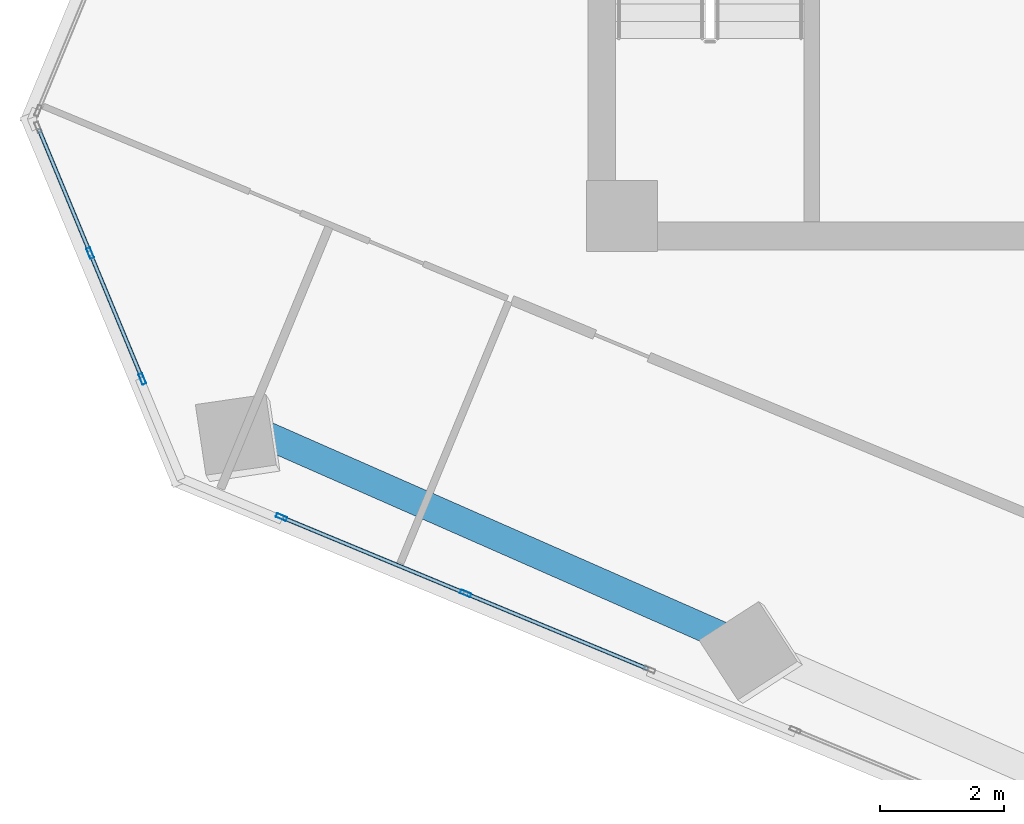
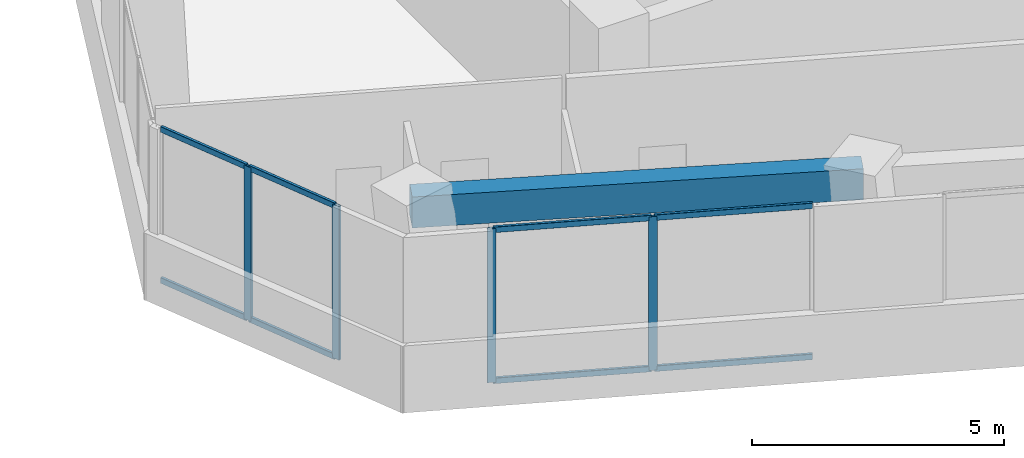
# One storey, part 3 of 23: 12 members, 1 beam, 2 elements without a shape of their own.
"""IFC4 building model written with IfcOpenShell, lengths in metres."""

from ifc_helpers import new_model, si_unit, direction, frame, origin, origin_2d, place, context, subcontext, project, spatial, rectangle, hollow_rectangle, extrude, source, transform, mapped, material, material_profile, profile_set, type_object, element, aggregate, save


model = new_model("IFC4")

# Units and contexts
model_context = context("Model", 3, precision=1e-05, world=origin(), true_north=direction((0.0, 1.0)))
body_context = subcontext(model_context, "Body", "Model", "MODEL_VIEW")
ifc_project = project(units=[si_unit("LENGTHUNIT", "METRE"), si_unit("AREAUNIT", "SQUARE_METRE"), si_unit("VOLUMEUNIT", "CUBIC_METRE"), si_unit("PLANEANGLEUNIT", "RADIAN"), si_unit("MASSUNIT", "GRAM", prefix="KILO")], contexts=[model_context])

# Site, building, storey
site_placement = place(None, origin())
site = spatial("IfcSite", under=ifc_project, at=site_placement, CompositionType="ELEMENT")
building_placement = place(site_placement, origin())
building = spatial("IfcBuilding", under=site, at=building_placement, Name="Torre Montelarca", CompositionType="ELEMENT")
storey_placement = place(building_placement, frame((0.0, 0.0, 145.60009765625)))
storey = spatial("IfcBuildingStorey", under=building, at=storey_placement, Name="L32", CompositionType="ELEMENT", Elevation=145.60009765625)

# Beam
ifc_material_1 = material(Name="Concrete C55/67", Category="concrete")
ifc_material_profile_1 = material_profile(ifc_material_1, rectangle(XDim=0.449951171875, YDim=0.75, at=origin_2d()), Name="RCB450X750", Category="concrete")
ifc_profile_set_1 = profile_set([ifc_material_profile_1], Name="Concrete C55/67")
beam_type = type_object("IfcBeamType", Name="BM-SP-RC750-EXT", PredefinedType="SPANDREL", material=ifc_profile_set_1)
shared_shape_1 = source(origin(), body_context, "Body", "SweptSolid", [
    extrude(rectangle(XDim=0.449951171875, YDim=0.75, at=origin_2d()), origin(), (0.0, 0.0, 1.0), 9.0),
])
beam_placement = place(storey_placement, frame((3.13134765625, 21.291015625, 3.5849609375), z_axis=(0.915309832452, -0.402750432174, 0.0), x_axis=(0.402750432174, 0.915309832452, 0.0)))
element("IfcBeam", 1, at=beam_placement, inside=storey, type_object=beam_type, Name="L32 Grid Girder X 9.0-18.0 at Y=14.8", PredefinedType="SPANDREL", context=body_context, shape_type="MappedRepresentation", body=[
    mapped(shared_shape_1, transform((0.0, 0.0, 0.0), scale=1.0)),
])

# Curtain wall, members
ifc_material_2 = material(Name="Insulated low-E laminated glass", Category="glass")
curtain_wall_type = type_object("IfcCurtainWallType", Name="CW-SYS-Z2", PredefinedType="USERDEFINED", material=ifc_material_2)
curtain_wall_1_placement = place(storey_placement, origin())
curtain_wall_1 = element("IfcCurtainWall", 2, at=curtain_wall_1_placement, inside=storey, type_object=curtain_wall_type, Name="L32 Curtain Wall Run CW-T3-L32-E01-B1", ObjectType="UNITISED GLAZING", PredefinedType="USERDEFINED")
ifc_material_3 = material(Name="Anodised aluminium AA 6063-T6", Category="aluminium")
ifc_material_profile_2 = material_profile(ifc_material_3, hollow_rectangle(XDim=0.06494140625, YDim=0.179931640625, WallThickness=0.00390625, InnerFilletRadius=0.00390625, OuterFilletRadius=0.008056640625, at=origin_2d()), Name="ALU65X180X4", Category="aluminium")
ifc_profile_set_2 = profile_set([ifc_material_profile_2], Name="Anodised aluminium AA 6063-T6")
member_type_1 = type_object("IfcMemberType", Name="CWM-ALU180", PredefinedType="MULLION", material=ifc_profile_set_2)
shared_shape_2 = source(origin(), body_context, "Body", "SweptSolid", [
    extrude(hollow_rectangle(XDim=0.06494140625, YDim=0.179931640625, WallThickness=0.00390625, InnerFilletRadius=0.00390625, OuterFilletRadius=0.008056640625, at=origin_2d()), origin(), (0.0, 0.0, 1.0), 3.719970703125),
])
member_1_placement = place(storey_placement, frame((4.041259765625, 19.6728515625, 0.0), z_axis=(0.0, 0.0, 1.0), x_axis=(0.38268343759, 0.923879530347, 0.0)))
member_1 = element("IfcMember", 3, at=member_1_placement, type_object=member_type_1, Name="CW mullion 1", PredefinedType="MULLION", context=body_context, shape_type="MappedRepresentation", body=[
    mapped(shared_shape_2, transform((0.0, 0.0, 0.0), scale=1.0)),
])
member_2_placement = place(storey_placement, frame((7.02099609375, 18.438720703125, 0.0), z_axis=(0.0, 0.0, 1.0), x_axis=(0.38268343759, 0.923879530347, 0.0)))
member_2 = element("IfcMember", 4, at=member_2_placement, type_object=member_type_1, Name="CW mullion 2", PredefinedType="MULLION", context=body_context, shape_type="MappedRepresentation", body=[
    mapped(shared_shape_2, transform((0.0, 0.0, 0.0), scale=1.0)),
])

curtain_wall_2_placement = place(storey_placement, origin())
curtain_wall_2 = element("IfcCurtainWall", 5, at=curtain_wall_2_placement, inside=storey, type_object=curtain_wall_type, Name="L32 Curtain Wall Run CW-T3-L32-E11-B1", ObjectType="UNITISED GLAZING", PredefinedType="USERDEFINED")
member_3_placement = place(storey_placement, frame((0.94384765625, 23.947021484375, 0.0), z_axis=(0.0, 0.0, 1.0), x_axis=(0.923884651874, 0.382671072895, 0.0)))
member_3 = element("IfcMember", 6, at=member_3_placement, type_object=member_type_1, Name="CW mullion 2", PredefinedType="MULLION", context=body_context, shape_type="MappedRepresentation", body=[
    mapped(shared_shape_2, transform((0.0, 0.0, 0.0), scale=1.0)),
])
member_4_placement = place(storey_placement, frame((1.787109375, 21.9111328125, 0.0), z_axis=(0.0, 0.0, 1.0), x_axis=(0.923884651874, 0.382671072895, 0.0)))
member_4 = element("IfcMember", 7, at=member_4_placement, type_object=member_type_1, Name="CW mullion 3", PredefinedType="MULLION", context=body_context, shape_type="MappedRepresentation", body=[
    mapped(shared_shape_2, transform((0.0, 0.0, 0.0), scale=1.0)),
])

# Member
ifc_material_profile_3 = material_profile(ifc_material_3, hollow_rectangle(XDim=0.06494140625, YDim=0.139892578125, WallThickness=0.00390625, InnerFilletRadius=0.00390625, OuterFilletRadius=0.008056640625, at=origin_2d()), Name="ALU65X140X4", Category="aluminium")
ifc_profile_set_3 = profile_set([ifc_material_profile_3], Name="Anodised aluminium AA 6063-T6")
member_type_2 = type_object("IfcMemberType", Name="CWT-ALU140", PredefinedType="USERDEFINED", material=ifc_profile_set_3)
shared_shape_3 = source(origin(), body_context, "Body", "SweptSolid", [
    extrude(hollow_rectangle(XDim=0.06494140625, YDim=0.139892578125, WallThickness=0.00390625, InnerFilletRadius=0.00390625, OuterFilletRadius=0.008056640625, at=origin_2d()), origin(), (0.0, 0.0, 1.0), 3.16015625),
])
member_5_placement = place(storey_placement, frame((4.0712890625, 19.660400390625, 0.032470703125), z_axis=(0.923868060411, -0.382711127291, 0.0), x_axis=(0.382711127291, 0.923868060411, 0.0)))
member_5 = element("IfcMember", 8, at=member_5_placement, type_object=member_type_2, Name="CW transom 1.1", ObjectType="TRANSOM", PredefinedType="USERDEFINED", context=body_context, shape_type="MappedRepresentation", body=[
    mapped(shared_shape_3, transform((0.0, 0.0, 0.0), scale=1.0)),
])

member_6_placement = place(storey_placement, frame((4.0712890625, 19.660400390625, 3.6875), z_axis=(0.923868060411, -0.382711127291, 0.0), x_axis=(0.382711127291, 0.923868060411, 0.0)))
member_6 = element("IfcMember", 9, at=member_6_placement, type_object=member_type_2, Name="CW transom 1.2", ObjectType="TRANSOM", PredefinedType="USERDEFINED", context=body_context, shape_type="MappedRepresentation", body=[
    mapped(shared_shape_3, transform((0.0, 0.0, 0.0), scale=1.0)),
])

member_7_placement = place(storey_placement, frame((7.051025390625, 18.42626953125, 0.032470703125), z_axis=(0.923868060411, -0.382711127291, 0.0), x_axis=(0.382711127291, 0.923868060411, 0.0)))
member_7 = element("IfcMember", 10, at=member_7_placement, type_object=member_type_2, Name="CW transom 2.1", ObjectType="TRANSOM", PredefinedType="USERDEFINED", context=body_context, shape_type="MappedRepresentation", body=[
    mapped(shared_shape_3, transform((0.0, 0.0, 0.0), scale=1.0)),
])

member_8_placement = place(storey_placement, frame((7.051025390625, 18.42626953125, 3.6875), z_axis=(0.923868060411, -0.382711127291, 0.0), x_axis=(0.382711127291, 0.923868060411, 0.0)))
member_8 = element("IfcMember", 11, at=member_8_placement, type_object=member_type_2, Name="CW transom 2.2", ObjectType="TRANSOM", PredefinedType="USERDEFINED", context=body_context, shape_type="MappedRepresentation", body=[
    mapped(shared_shape_3, transform((0.0, 0.0, 0.0), scale=1.0)),
])

aggregate(curtain_wall_1, [member_1, member_2, member_5, member_6, member_7, member_8])

shared_shape_4 = source(origin(), body_context, "Body", "SweptSolid", [
    extrude(hollow_rectangle(XDim=0.06494140625, YDim=0.139892578125, WallThickness=0.00390625, InnerFilletRadius=0.00390625, OuterFilletRadius=0.008056640625, at=origin_2d()), origin(), (0.0, 0.0, 1.0), 2.138427734375),
])
member_9_placement = place(storey_placement, frame((0.113037109375, 25.95263671875, 0.032470703125), z_axis=(0.382701348994, -0.923872110997, 0.0), x_axis=(0.923872110997, 0.382701348994, 0.0)))
member_9 = element("IfcMember", 12, at=member_9_placement, type_object=member_type_2, Name="CW transom 1.1", ObjectType="TRANSOM", PredefinedType="USERDEFINED", context=body_context, shape_type="MappedRepresentation", body=[
    mapped(shared_shape_4, transform((0.0, 0.0, 0.0), scale=1.0)),
])

member_10_placement = place(storey_placement, frame((0.113037109375, 25.95263671875, 3.6875), z_axis=(0.382701348994, -0.923872110997, 0.0), x_axis=(0.923872110997, 0.382701348994, 0.0)))
member_10 = element("IfcMember", 13, at=member_10_placement, type_object=member_type_2, Name="CW transom 1.2", ObjectType="TRANSOM", PredefinedType="USERDEFINED", context=body_context, shape_type="MappedRepresentation", body=[
    mapped(shared_shape_4, transform((0.0, 0.0, 0.0), scale=1.0)),
])

shared_shape_5 = source(origin(), body_context, "Body", "SweptSolid", [
    extrude(hollow_rectangle(XDim=0.06494140625, YDim=0.139892578125, WallThickness=0.00390625, InnerFilletRadius=0.00390625, OuterFilletRadius=0.008056640625, at=origin_2d()), origin(), (0.0, 0.0, 1.0), 2.138671875),
])
member_11_placement = place(storey_placement, frame((0.956298828125, 23.9169921875, 0.032470703125), z_axis=(0.38266098576, -0.92388882988, 0.0), x_axis=(0.92388882988, 0.38266098576, 0.0)))
member_11 = element("IfcMember", 14, at=member_11_placement, type_object=member_type_2, Name="CW transom 2.1", ObjectType="TRANSOM", PredefinedType="USERDEFINED", context=body_context, shape_type="MappedRepresentation", body=[
    mapped(shared_shape_5, transform((0.0, 0.0, 0.0), scale=1.0)),
])

member_12_placement = place(storey_placement, frame((0.956298828125, 23.9169921875, 3.6875), z_axis=(0.38266098576, -0.92388882988, 0.0), x_axis=(0.92388882988, 0.38266098576, 0.0)))
member_12 = element("IfcMember", 15, at=member_12_placement, type_object=member_type_2, Name="CW transom 2.2", ObjectType="TRANSOM", PredefinedType="USERDEFINED", context=body_context, shape_type="MappedRepresentation", body=[
    mapped(shared_shape_5, transform((0.0, 0.0, 0.0), scale=1.0)),
])

aggregate(curtain_wall_2, [member_3, member_4, member_9, member_10, member_11, member_12])

save(model, "model.ifc")
